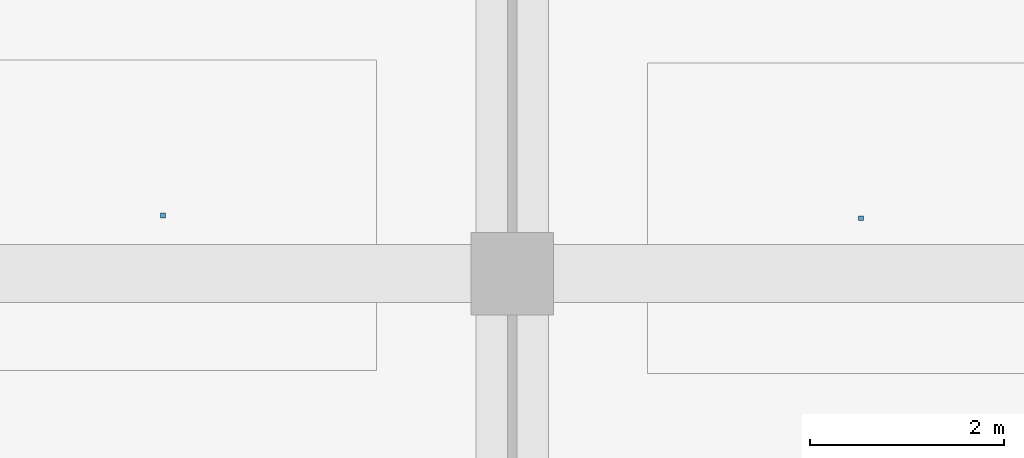
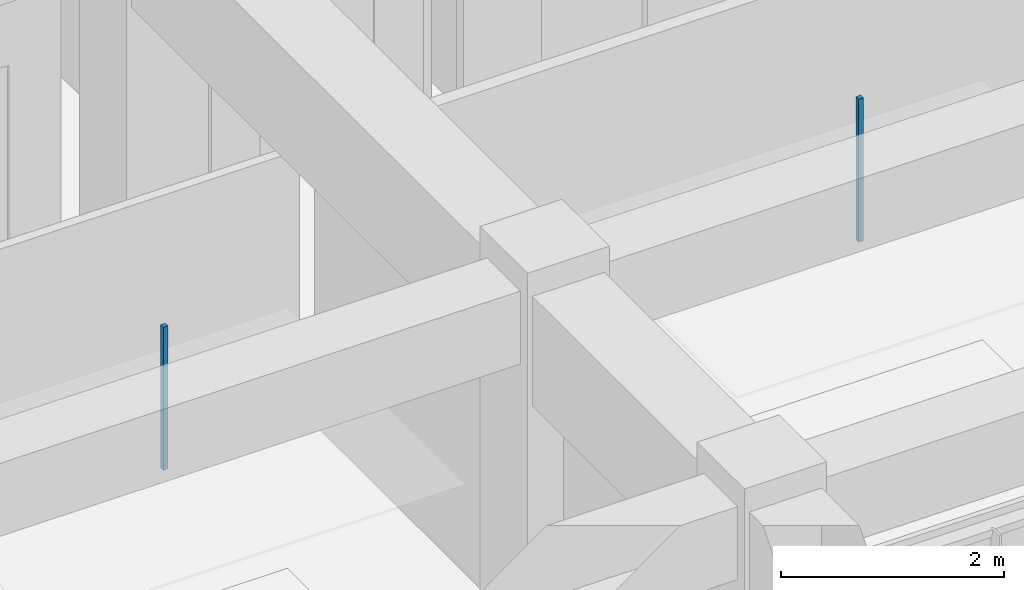
# One storey, part 42 of 56: 2 discrete accessories.
"""IFC4 building model written with IfcOpenShell, lengths in metres."""

from ifc_helpers import new_model, si_unit, direction, frame, origin, origin_2d, place, context, subcontext, project, spatial, rectangle, extrude, material, type_object, element, save


model = new_model("IFC4")

# Units and contexts
model_context = context("Model", 3, precision=1e-05, world=origin(), true_north=direction((0.0, 1.0)))
body_context = subcontext(model_context, "Body", "Model", "MODEL_VIEW")
ifc_project = project(units=[si_unit("LENGTHUNIT", "METRE"), si_unit("AREAUNIT", "SQUARE_METRE"), si_unit("VOLUMEUNIT", "CUBIC_METRE"), si_unit("PLANEANGLEUNIT", "RADIAN"), si_unit("MASSUNIT", "GRAM", prefix="KILO")], contexts=[model_context])

# Site, building, storey
site_placement = place(None, origin())
site = spatial("IfcSite", under=ifc_project, at=site_placement, CompositionType="ELEMENT")
building_placement = place(site_placement, origin())
building = spatial("IfcBuilding", under=site, at=building_placement, Name="Kazehaya Institute of Natural Sciences", CompositionType="ELEMENT")
storey_placement = place(building_placement, frame((0.0, 0.0, 24.300048828125)))
storey = spatial("IfcBuildingStorey", under=building, at=storey_placement, Name="L05", CompositionType="ELEMENT", Elevation=24.300048828125)

# Discrete accessories
ifc_material = material(Name="Structural steel SN490B", Category="steel")
discrete_accessory_type = type_object("IfcDiscreteAccessoryType", Name="ACC-CLG-HGR", PredefinedType="BRACKET", material=ifc_material)
for number, where, z_axis, x_axis, name in (
    (1, (87.000244140625, 14.599853515625, 2.8525390625), (0.0, 0.0, 1.0), (1.0, 0.0, 0.0), "L05 ceiling suspension hanger 49"),
    (2, (94.1953125, 14.5703125, 2.8525390625), (0.0, 0.0, 1.0), (1.0, 0.0, 0.0), "L05 ceiling suspension hanger 50"),
):
    element("IfcDiscreteAccessory", number, at=place(storey_placement, frame(where, z_axis=z_axis, x_axis=x_axis)), inside=storey, type_object=discrete_accessory_type, Name=name, PredefinedType="BRACKET", context=body_context, shape_type="SweptSolid", body=[
        extrude(rectangle(XDim=0.050048828125, YDim=0.050048828125, at=origin_2d()), origin(), (0.0, 0.0, 1.0), 1.5673828125),
    ])

save(model, "model.ifc")
